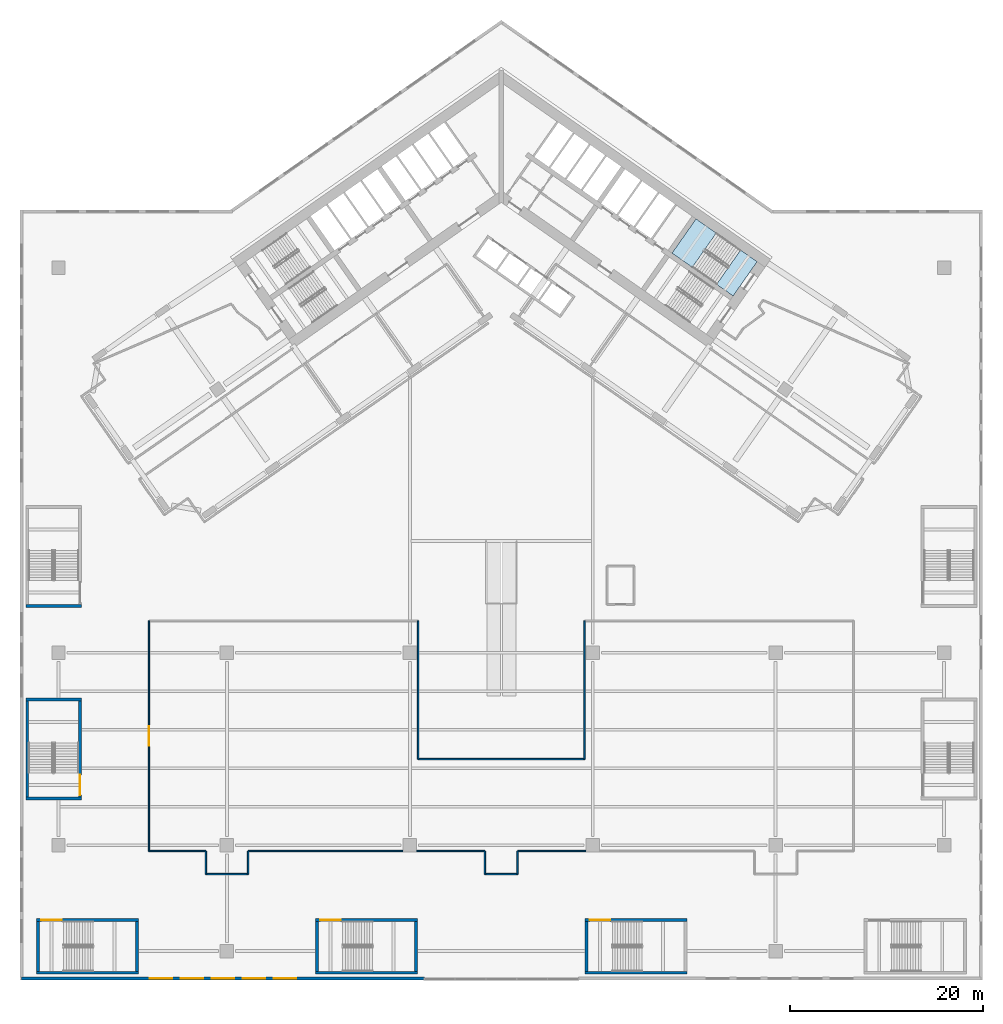
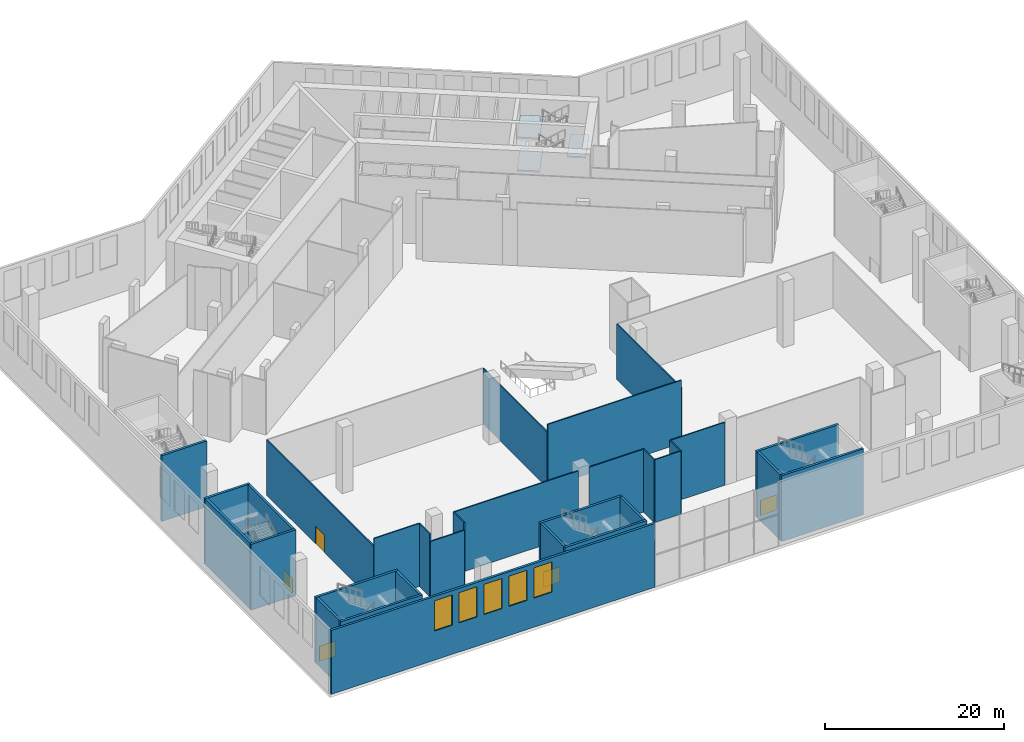
# One storey, part 5 of 27: 31 walls, 5 doors, 5 windows, 3 slabs, 10 openings, 1 element without a shape of its own.
"""IFC4 building model written with IfcOpenShell, lengths in metres."""

from ifc_helpers import new_model, si_unit, direction, frame, frame_2d, origin, place, context, subcontext, project, spatial, polyline, rectangle, outline, extrude, material, layer, layer_set, type_object, element, fill, aggregate, save


model = new_model("IFC4")

# Units and contexts
model_context = context("Model", 3, precision=1e-05, world=origin(), true_north=direction((0.0, 1.0)))
body_context = subcontext(model_context, "Body", "Model", "MODEL_VIEW")
ifc_project = project(units=[si_unit("LENGTHUNIT", "METRE"), si_unit("AREAUNIT", "SQUARE_METRE"), si_unit("VOLUMEUNIT", "CUBIC_METRE"), si_unit("PLANEANGLEUNIT", "RADIAN"), si_unit("MASSUNIT", "GRAM", prefix="KILO")], contexts=[model_context])

# Site, building, storey
site_placement = place(None, origin())
site = spatial("IfcSite", under=ifc_project, at=site_placement, CompositionType="ELEMENT")
building_placement = place(site_placement, origin())
building = spatial("IfcBuilding", under=site, at=building_placement, Name="Tel Ilan Convention Tower", CompositionType="ELEMENT")
storey_placement = place(building_placement, frame((0.0, 0.0, 9.0)))
storey = spatial("IfcBuildingStorey", under=building, at=storey_placement, Name="L01", CompositionType="ELEMENT", Elevation=9.0)

# Stair, slabs
ifc_material_1 = material(Name="Concrete C40/50", Category="concrete")
stair_type = type_object("IfcStairType", Name="Pressurised Exit Stair 48 risers 188 mm", PredefinedType="HALF_TURN_STAIR", material=ifc_material_1)
stair_placement = place(storey_placement, origin())
stair = element("IfcStair", 1, at=stair_placement, inside=storey, type_object=stair_type, Name="L01 Pressurised Stair S3", PredefinedType="HALF_TURN_STAIR")
ifc_material_2 = material(Name="Concrete C40/50", Category="concrete")
ifc_layer_1 = layer(ifc_material_2, 0.199951171875)
ifc_layer_set_1 = layer_set([ifc_layer_1], Name="Concrete Stair Landing 200 mm C40/50")
slab_type = type_object("IfcSlabType", Name="Concrete Stair Landing 200 mm", PredefinedType="LANDING", material=ifc_layer_set_1)
slab_1_placement = place(storey_placement, frame((0.0, 0.0, 2.050048828125)))
slab_1 = element("IfcSlab", 2, at=slab_1_placement, type_object=slab_type, Name="S3 landing 1", PredefinedType="LANDING", context=body_context, shape_type="SweptSolid", body=[
    extrude(outline(polyline([(22.332275390625, -4.406005859375), (20.226318359375, -2.931640625), (17.7314453125, -6.494873046875), (19.837158203125, -7.969482421875), (22.332275390625, -4.406005859375)])), origin(), (0.0, 0.0, 1.0), 0.199951171875),
])
slab_2_placement = place(storey_placement, frame((0.0, 0.0, 4.300048828125)))
slab_2 = element("IfcSlab", 3, at=slab_2_placement, type_object=slab_type, Name="S3 landing 2", PredefinedType="LANDING", context=body_context, shape_type="SweptSolid", body=[
    extrude(outline(polyline([(26.574951171875, -7.376708984375), (24.85400390625, -6.171875), (22.35888671875, -9.735107421875), (24.079833984375, -10.940185546875), (26.574951171875, -7.376708984375)])), origin(), (0.0, 0.0, 1.0), 0.199951171875),
])
slab_3_placement = place(storey_placement, frame((0.0, 0.0, 6.550048828125)))
slab_3 = element("IfcSlab", 4, at=slab_3_placement, type_object=slab_type, Name="S3 landing 3", PredefinedType="LANDING", context=body_context, shape_type="SweptSolid", body=[
    extrude(outline(polyline([(22.332275390625, -4.406005859375), (20.226318359375, -2.931640625), (17.7314453125, -6.494873046875), (19.837158203125, -7.969482421875), (22.332275390625, -4.406005859375)])), origin(), (0.0, 0.0, 1.0), 0.199951171875),
])
aggregate(stair, [slab_1, slab_2, slab_3])

# Walls
ifc_material_3 = material(Name="Plasterboard on Steel Studs", Category="steel")
ifc_layer_2 = layer(ifc_material_3, 0.14990234375)
ifc_layer_set_2 = layer_set([ifc_layer_2], Name="Fire-rated Partition 150 EI 60")
wall_type_1 = type_object("IfcWallType", Name="Fire-rated Partition 150 EI 60", PredefinedType="PARTITIONING", material=ifc_layer_set_2)
wall_1_placement = place(storey_placement, frame((-1.698974609375, -71.0009765625, 0.0), z_axis=(0.0, 0.0, 1.0), x_axis=(1.0, 0.0, 0.0)))
element("IfcWall", 5, at=wall_1_placement, inside=storey, type_object=wall_type_1, Name="Partition 041", PredefinedType="PARTITIONING", context=body_context, shape_type="SweptSolid", body=[
    extrude(rectangle(XDim=3.39794921875, YDim=0.14990234375, at=frame_2d((1.698974609375, 0.0))), origin(), (0.0, 0.0, 1.0), 8.60009765625),
])
wall_2_placement = place(storey_placement, frame((-30.698974609375, -71.0009765625, 0.0), z_axis=(0.0, 0.0, 1.0), x_axis=(1.0, 0.0, 0.0)))
element("IfcWall", 6, at=wall_2_placement, inside=storey, type_object=wall_type_1, Name="Partition 042", PredefinedType="PARTITIONING", context=body_context, shape_type="SweptSolid", body=[
    extrude(rectangle(XDim=4.39794921875, YDim=0.14990234375, at=frame_2d((2.198974609375, 0.0))), origin(), (0.0, 0.0, 1.0), 7.580078125),
])

# Wall, opening, door
wall_3_placement = place(storey_placement, frame((-36.60009765625, -44.6982421875, 0.0), z_axis=(0.0, 0.0, 1.0), x_axis=(0.0, -1.0, 0.0)))
wall_3 = element("IfcWall", 7, at=wall_3_placement, inside=storey, type_object=wall_type_1, Name="Partition 045", PredefinedType="PARTITIONING", context=body_context, shape_type="SweptSolid", body=[
    extrude(rectangle(XDim=23.90185546875, YDim=0.14990234375, at=frame_2d((11.950927734375, 0.0))), origin(), (0.0, 0.0, 1.0), 7.580078125),
])
opening_1_placement = place(wall_3_placement, frame((10.950927734375, 0.0, 0.0)))
opening_1 = element("IfcOpeningElement", 8, at=opening_1_placement, cuts=wall_3, Name="Opening L01-008", PredefinedType="OPENING", context=body_context, shape_type="SweptSolid", body=[
    extrude(rectangle(XDim=2.0, YDim=2.39990234375, at=frame_2d((1.0, 1.199951171875))), frame((0.0, 0.0849609375, 0.0), z_axis=(0.0, -1.0, 0.0), x_axis=(1.0, 0.0, 0.0)), (0.0, 0.0, 1.0), 0.169921875),
])
ifc_material_4 = material(Name="Timber Door Leaf in Steel Frame", Category="steel")
door_type_1 = type_object("IfcDoorType", Name="Assembly Hall Double Fire Door 2000x2400", OperationType="NOTDEFINED", PredefinedType="DOOR", material=ifc_material_4)
door_1_placement = place(opening_1_placement, origin())
door_1 = element("IfcDoor", 9, at=door_1_placement, inside=storey, type_object=door_type_1, Name="Door L01-008", OperationType="DOUBLE_DOOR_SINGLE_SWING", OverallHeight=2.39990234375, OverallWidth=2.0, PredefinedType="DOOR", context=body_context, shape_type="SweptSolid", body=[
    extrude(rectangle(XDim=2.0, YDim=2.39990234375, at=frame_2d((1.0, 1.199951171875))), frame((0.0, 0.02490234375, 0.0), z_axis=(0.0, -1.0, 0.0), x_axis=(1.0, 0.0, 0.0)), (0.0, 0.0, 1.0), 0.050048828125),
])
fill(opening_1, door_1)

# Walls
wall_4_placement = place(storey_placement, frame((-36.60009765625, -68.60009765625, 0.0), z_axis=(0.0, 0.0, 1.0), x_axis=(1.0, 0.0, 0.0)))
element("IfcWall", 10, at=wall_4_placement, inside=storey, type_object=wall_type_1, Name="Partition 046", PredefinedType="PARTITIONING", context=body_context, shape_type="SweptSolid", body=[
    extrude(rectangle(XDim=5.900146484375, YDim=0.14990234375, at=frame_2d((2.9501953125, 0.0))), origin(), (0.0, 0.0, 1.0), 8.60009765625),
])
for number, where, z_axis, x_axis, name in (
    (11, (-30.699951171875, -68.60009765625, 0.0), (0.0, 0.0, 1.0), (0.0, -1.0, 0.0), "Partition 047"),
    (12, (-26.300048828125, -71.001708984375, 0.0), (0.0, 0.0, 1.0), (0.0, 1.0, 0.0), "Partition 048"),
):
    element("IfcWall", number, at=place(storey_placement, frame(where, z_axis=z_axis, x_axis=x_axis)), inside=storey, type_object=wall_type_1, Name=name, PredefinedType="PARTITIONING", context=body_context, shape_type="SweptSolid", body=[
        extrude(rectangle(XDim=2.401611328125, YDim=0.14990234375, at=frame_2d((1.20068359375, 0.0))), origin(), (0.0, 0.0, 1.0), 8.60009765625),
    ])
wall_5_placement = place(storey_placement, frame((-26.300048828125, -68.60009765625, 0.0), z_axis=(0.0, 0.0, 1.0), x_axis=(1.0, 0.0, 0.0)))
element("IfcWall", 13, at=wall_5_placement, inside=storey, type_object=wall_type_1, Name="Partition 049", PredefinedType="PARTITIONING", context=body_context, shape_type="SweptSolid", body=[
    extrude(rectangle(XDim=16.080078125, YDim=0.14990234375, at=frame_2d((8.0400390625, 0.0))), origin(), (0.0, 0.0, 1.0), 8.60009765625),
])
wall_6_placement = place(storey_placement, frame((-8.780029296875, -68.60009765625, 0.0), z_axis=(0.0, 0.0, 1.0), x_axis=(1.0, 0.0, 0.0)))
element("IfcWall", 14, at=wall_6_placement, inside=storey, type_object=wall_type_1, Name="Partition 050", PredefinedType="PARTITIONING", context=body_context, shape_type="SweptSolid", body=[
    extrude(rectangle(XDim=7.080078125, YDim=0.14990234375, at=frame_2d((3.5400390625, 0.0))), origin(), (0.0, 0.0, 1.0), 8.60009765625),
])
for number, where, z_axis, x_axis, name in (
    (15, (-1.699951171875, -68.60009765625, 0.0), (0.0, 0.0, 1.0), (0.0, -1.0, 0.0), "Partition 051"),
    (16, (1.699951171875, -71.001708984375, 0.0), (0.0, 0.0, 1.0), (0.0, 1.0, 0.0), "Partition 052"),
):
    element("IfcWall", number, at=place(storey_placement, frame(where, z_axis=z_axis, x_axis=x_axis)), inside=storey, type_object=wall_type_1, Name=name, PredefinedType="PARTITIONING", context=body_context, shape_type="SweptSolid", body=[
        extrude(rectangle(XDim=2.401611328125, YDim=0.14990234375, at=frame_2d((1.20068359375, 0.0))), origin(), (0.0, 0.0, 1.0), 8.60009765625),
    ])
wall_7_placement = place(storey_placement, frame((1.699951171875, -68.60009765625, 0.0), z_axis=(0.0, 0.0, 1.0), x_axis=(1.0, 0.0, 0.0)))
element("IfcWall", 17, at=wall_7_placement, inside=storey, type_object=wall_type_1, Name="Partition 053", PredefinedType="PARTITIONING", context=body_context, shape_type="SweptSolid", body=[
    extrude(rectangle(XDim=7.080078125, YDim=0.14990234375, at=frame_2d((3.5400390625, 0.0))), origin(), (0.0, 0.0, 1.0), 8.60009765625),
])
wall_8_placement = place(storey_placement, frame((8.64990234375, -59.050048828125, 0.0), z_axis=(0.0, 0.0, 1.0), x_axis=(-1.0, 0.0, 0.0)))
element("IfcWall", 18, at=wall_8_placement, inside=storey, type_object=wall_type_1, Name="Partition 063", PredefinedType="PARTITIONING", context=body_context, shape_type="SweptSolid", body=[
    extrude(rectangle(XDim=17.2998046875, YDim=0.14990234375, at=frame_2d((8.64990234375, 0.0))), origin(), (0.0, 0.0, 1.0), 8.60009765625),
])
for number, where, z_axis, x_axis, name in (
    (19, (-8.64990234375, -59.050048828125, 0.0), (0.0, 0.0, 1.0), (0.0, 1.0, 0.0), "Partition 064"),
    (20, (8.64990234375, -44.6982421875, 0.0), (0.0, 0.0, 1.0), (0.0, -1.0, 0.0), "Partition 065"),
):
    element("IfcWall", number, at=place(storey_placement, frame(where, z_axis=z_axis, x_axis=x_axis)), inside=storey, type_object=wall_type_1, Name=name, PredefinedType="PARTITIONING", context=body_context, shape_type="SweptSolid", body=[
        extrude(rectangle(XDim=14.351806640625, YDim=0.14990234375, at=frame_2d((7.17578125, 0.0))), origin(), (0.0, 0.0, 1.0), 7.580078125),
    ])

# Wall, openings, windows
ifc_material_5 = material(Name="Bronze aluminium cladding panel on insulated steel frame", Category="steel")
ifc_layer_3 = layer(ifc_material_5, 0.300048828125)
ifc_layer_set_3 = layer_set([ifc_layer_3], Name="PODIUM CLADDING WALL 300")
wall_type_2 = type_object("IfcWallType", Name="PODIUM CLADDING WALL 300", PredefinedType="SOLIDWALL", material=ifc_layer_set_3)
wall_9_placement = place(storey_placement, frame((-49.85009765625, -81.85009765625, 0.0), z_axis=(0.0, 0.0, 1.0), x_axis=(1.0, 0.0, 0.0)))
wall_9 = element("IfcWall", 21, at=wall_9_placement, inside=storey, type_object=wall_type_2, Name="Podium cladding wall", PredefinedType="SOLIDWALL", context=body_context, shape_type="SweptSolid", body=[
    extrude(rectangle(XDim=41.85009765625, YDim=0.300048828125, at=frame_2d((20.925048828125, 0.0))), origin(), (0.0, 0.0, 1.0), 8.719970703125),
])
opening_2_placement = place(wall_9_placement, frame((13.326904296875, 0.0, 4.0)))
opening_2 = element("IfcOpeningElement", 22, at=opening_2_placement, cuts=wall_9, Name="Opening W-04.001", PredefinedType="OPENING", context=body_context, shape_type="SweptSolid", body=[
    extrude(rectangle(XDim=2.3193359375, YDim=4.1201171875, at=frame_2d((1.15966796875, 2.06005859375))), frame((0.0, 0.159912109375, 0.0), z_axis=(0.0, -1.0, 0.0), x_axis=(1.0, 0.0, 0.0)), (0.0, 0.0, 1.0), 0.320068359375),
])
opening_3_placement = place(wall_9_placement, frame((16.546142578125, 0.0, 4.0)))
opening_3 = element("IfcOpeningElement", 23, at=opening_3_placement, cuts=wall_9, Name="Opening W-04.002", PredefinedType="OPENING", context=body_context, shape_type="SweptSolid", body=[
    extrude(rectangle(XDim=2.3193359375, YDim=4.1201171875, at=frame_2d((1.15966796875, 2.06005859375))), frame((0.0, 0.159912109375, 0.0), z_axis=(0.0, -1.0, 0.0), x_axis=(1.0, 0.0, 0.0)), (0.0, 0.0, 1.0), 0.320068359375),
])
opening_4_placement = place(wall_9_placement, frame((19.765380859375, 0.0, 4.0)))
opening_4 = element("IfcOpeningElement", 24, at=opening_4_placement, cuts=wall_9, Name="Opening W-04.003", PredefinedType="OPENING", context=body_context, shape_type="SweptSolid", body=[
    extrude(rectangle(XDim=2.3193359375, YDim=4.1201171875, at=frame_2d((1.15966796875, 2.06005859375))), frame((0.0, 0.159912109375, 0.0), z_axis=(0.0, -1.0, 0.0), x_axis=(1.0, 0.0, 0.0)), (0.0, 0.0, 1.0), 0.320068359375),
])
opening_5_placement = place(wall_9_placement, frame((22.984619140625, 0.0, 4.0)))
opening_5 = element("IfcOpeningElement", 25, at=opening_5_placement, cuts=wall_9, Name="Opening W-04.004", PredefinedType="OPENING", context=body_context, shape_type="SweptSolid", body=[
    extrude(rectangle(XDim=2.3193359375, YDim=4.1201171875, at=frame_2d((1.15966796875, 2.06005859375))), frame((0.0, 0.159912109375, 0.0), z_axis=(0.0, -1.0, 0.0), x_axis=(1.0, 0.0, 0.0)), (0.0, 0.0, 1.0), 0.320068359375),
])
opening_6_placement = place(wall_9_placement, frame((26.203857421875, 0.0, 4.0)))
opening_6 = element("IfcOpeningElement", 26, at=opening_6_placement, cuts=wall_9, Name="Opening W-04.005", PredefinedType="OPENING", context=body_context, shape_type="SweptSolid", body=[
    extrude(rectangle(XDim=2.3193359375, YDim=4.1201171875, at=frame_2d((1.15966796875, 2.06005859375))), frame((0.0, 0.159912109375, 0.0), z_axis=(0.0, -1.0, 0.0), x_axis=(1.0, 0.0, 0.0)), (0.0, 0.0, 1.0), 0.320068359375),
])
ifc_material_6 = material(Name="Aluminium framed glazing, bronze anodised, tinted glass", Category="aluminium")
window_type = type_object("IfcWindowType", Name="PODIUM WINDOW 2319x4120", PartitioningType="SINGLE_PANEL", PredefinedType="WINDOW", material=ifc_material_6)
window_1_placement = place(opening_2_placement, origin())
window_1 = element("IfcWindow", 27, at=window_1_placement, inside=storey, type_object=window_type, Name="Podium window", OverallHeight=4.1201171875, OverallWidth=2.3193359375, PartitioningType="SINGLE_PANEL", PredefinedType="WINDOW", context=body_context, shape_type="SweptSolid", body=[
    extrude(rectangle(XDim=2.3193359375, YDim=4.1201171875, at=frame_2d((1.15966796875, 2.06005859375))), frame((0.0, 0.030029296875, 0.0), z_axis=(0.0, -1.0, 0.0), x_axis=(1.0, 0.0, 0.0)), (0.0, 0.0, 1.0), 0.06005859375),
])
fill(opening_2, window_1)
window_2_placement = place(opening_3_placement, origin())
window_2 = element("IfcWindow", 28, at=window_2_placement, inside=storey, type_object=window_type, Name="Podium window", OverallHeight=4.1201171875, OverallWidth=2.3193359375, PartitioningType="SINGLE_PANEL", PredefinedType="WINDOW", context=body_context, shape_type="SweptSolid", body=[
    extrude(rectangle(XDim=2.3193359375, YDim=4.1201171875, at=frame_2d((1.15966796875, 2.06005859375))), frame((0.0, 0.030029296875, 0.0), z_axis=(0.0, -1.0, 0.0), x_axis=(1.0, 0.0, 0.0)), (0.0, 0.0, 1.0), 0.06005859375),
])
fill(opening_3, window_2)
window_3_placement = place(opening_4_placement, origin())
window_3 = element("IfcWindow", 29, at=window_3_placement, inside=storey, type_object=window_type, Name="Podium window", OverallHeight=4.1201171875, OverallWidth=2.3193359375, PartitioningType="SINGLE_PANEL", PredefinedType="WINDOW", context=body_context, shape_type="SweptSolid", body=[
    extrude(rectangle(XDim=2.3193359375, YDim=4.1201171875, at=frame_2d((1.15966796875, 2.06005859375))), frame((0.0, 0.030029296875, 0.0), z_axis=(0.0, -1.0, 0.0), x_axis=(1.0, 0.0, 0.0)), (0.0, 0.0, 1.0), 0.06005859375),
])
fill(opening_4, window_3)
window_4_placement = place(opening_5_placement, origin())
window_4 = element("IfcWindow", 30, at=window_4_placement, inside=storey, type_object=window_type, Name="Podium window", OverallHeight=4.1201171875, OverallWidth=2.3193359375, PartitioningType="SINGLE_PANEL", PredefinedType="WINDOW", context=body_context, shape_type="SweptSolid", body=[
    extrude(rectangle(XDim=2.3193359375, YDim=4.1201171875, at=frame_2d((1.15966796875, 2.06005859375))), frame((0.0, 0.030029296875, 0.0), z_axis=(0.0, -1.0, 0.0), x_axis=(1.0, 0.0, 0.0)), (0.0, 0.0, 1.0), 0.06005859375),
])
fill(opening_5, window_4)
window_5_placement = place(opening_6_placement, origin())
window_5 = element("IfcWindow", 31, at=window_5_placement, inside=storey, type_object=window_type, Name="Podium window", OverallHeight=4.1201171875, OverallWidth=2.3193359375, PartitioningType="SINGLE_PANEL", PredefinedType="WINDOW", context=body_context, shape_type="SweptSolid", body=[
    extrude(rectangle(XDim=2.3193359375, YDim=4.1201171875, at=frame_2d((1.15966796875, 2.06005859375))), frame((0.0, 0.030029296875, 0.0), z_axis=(0.0, -1.0, 0.0), x_axis=(1.0, 0.0, 0.0)), (0.0, 0.0, 1.0), 0.06005859375),
])
fill(opening_6, window_5)

# Wall
ifc_material_7 = material(Name="Concrete C40/50", Category="concrete")
ifc_layer_4 = layer(ifc_material_7, 0.300048828125)
ifc_layer_set_4 = layer_set([ifc_layer_4], Name="Stair Enclosure Wall 300 mm C40/50")
wall_type_3 = type_object("IfcWallType", Name="Stair Enclosure Wall 300 mm C40/50", PredefinedType="SOLIDWALL", material=ifc_layer_set_4)
wall_10_placement = place(storey_placement, frame((-48.300048828125, -81.25, 0.0), z_axis=(0.0, 0.0, 1.0), x_axis=(1.0, 0.0, 0.0)))
element("IfcWall", 32, at=wall_10_placement, inside=storey, type_object=wall_type_3, Name="P1 stair enclosure wall S L01", PredefinedType="SOLIDWALL", context=body_context, shape_type="SweptSolid", body=[
    extrude(rectangle(XDim=10.60009765625, YDim=0.300048828125, at=frame_2d((5.300048828125, 0.0))), origin(), (0.0, 0.0, 1.0), 9.0),
])

# Wall, opening, door
wall_11_placement = place(storey_placement, frame((-48.300048828125, -75.75, 0.0), z_axis=(0.0, 0.0, 1.0), x_axis=(1.0, 0.0, 0.0)))
wall_11 = element("IfcWall", 33, at=wall_11_placement, inside=storey, type_object=wall_type_3, Name="P1 stair enclosure wall N L01", PredefinedType="SOLIDWALL", context=body_context, shape_type="SweptSolid", body=[
    extrude(rectangle(XDim=10.60009765625, YDim=0.300048828125, at=frame_2d((5.300048828125, 0.0))), origin(), (0.0, 0.0, 1.0), 9.0),
])
opening_7_placement = place(wall_11_placement, frame((0.512451171875, 0.0, 0.0)))
opening_7 = element("IfcOpeningElement", 34, at=opening_7_placement, cuts=wall_11, Name="Opening PD104", PredefinedType="OPENING", context=body_context, shape_type="SweptSolid", body=[
    extrude(rectangle(XDim=2.10009765625, YDim=2.10009765625, at=frame_2d((1.050048828125, 1.050048828125))), frame((0.0, 0.159912109375, 0.0), z_axis=(0.0, -1.0, 0.0), x_axis=(1.0, 0.0, 0.0)), (0.0, 0.0, 1.0), 0.320068359375),
])
ifc_material_8 = material(Name="Galvanised Steel Door Leaf", Category="steel")
door_type_2 = type_object("IfcDoorType", Name="Stair Fire Door 2100 x 2100 FD60S", OperationType="NOTDEFINED", PredefinedType="DOOR", material=ifc_material_8)
door_2_placement = place(opening_7_placement, origin())
door_2 = element("IfcDoor", 35, at=door_2_placement, inside=storey, type_object=door_type_2, Name="Stair P1 floor door", OperationType="DOUBLE_DOOR_SINGLE_SWING", OverallHeight=2.10009765625, OverallWidth=2.10009765625, PredefinedType="DOOR", context=body_context, shape_type="SweptSolid", body=[
    extrude(rectangle(XDim=2.10009765625, YDim=2.10009765625, at=frame_2d((1.050048828125, 1.050048828125))), frame((0.0, 0.02490234375, 0.0), z_axis=(0.0, -1.0, 0.0), x_axis=(1.0, 0.0, 0.0)), (0.0, 0.0, 1.0), 0.050048828125),
])
fill(opening_7, door_2)

# Walls
for number, where, z_axis, x_axis, name in (
    (36, (-48.14990234375, -81.10009765625, 0.0), (0.0, 0.0, 1.0), (0.0, 1.0, 0.0), "P1 stair enclosure wall W L01"),
    (37, (-37.85009765625, -81.10009765625, 0.0), (0.0, 0.0, 1.0), (0.0, 1.0, 0.0), "P1 stair enclosure wall E L01"),
):
    element("IfcWall", number, at=place(storey_placement, frame(where, z_axis=z_axis, x_axis=x_axis)), inside=storey, type_object=wall_type_3, Name=name, PredefinedType="SOLIDWALL", context=body_context, shape_type="SweptSolid", body=[
        extrude(rectangle(XDim=5.2001953125, YDim=0.300048828125, at=frame_2d((2.60009765625, 0.0))), origin(), (0.0, 0.0, 1.0), 9.0),
    ])
wall_12_placement = place(storey_placement, frame((-19.300048828125, -81.25, 0.0), z_axis=(0.0, 0.0, 1.0), x_axis=(1.0, 0.0, 0.0)))
element("IfcWall", 38, at=wall_12_placement, inside=storey, type_object=wall_type_3, Name="P2 stair enclosure wall S L01", PredefinedType="SOLIDWALL", context=body_context, shape_type="SweptSolid", body=[
    extrude(rectangle(XDim=10.60009765625, YDim=0.300048828125, at=frame_2d((5.300048828125, 0.0))), origin(), (0.0, 0.0, 1.0), 9.0),
])

# Wall, opening, door
wall_13_placement = place(storey_placement, frame((-19.300048828125, -75.75, 0.0), z_axis=(0.0, 0.0, 1.0), x_axis=(1.0, 0.0, 0.0)))
wall_13 = element("IfcWall", 39, at=wall_13_placement, inside=storey, type_object=wall_type_3, Name="P2 stair enclosure wall N L01", PredefinedType="SOLIDWALL", context=body_context, shape_type="SweptSolid", body=[
    extrude(rectangle(XDim=10.60009765625, YDim=0.300048828125, at=frame_2d((5.300048828125, 0.0))), origin(), (0.0, 0.0, 1.0), 9.0),
])
opening_8_placement = place(wall_13_placement, frame((0.512451171875, 0.0, 0.0)))
opening_8 = element("IfcOpeningElement", 40, at=opening_8_placement, cuts=wall_13, Name="Opening PD204", PredefinedType="OPENING", context=body_context, shape_type="SweptSolid", body=[
    extrude(rectangle(XDim=2.10009765625, YDim=2.10009765625, at=frame_2d((1.050048828125, 1.050048828125))), frame((0.0, 0.159912109375, 0.0), z_axis=(0.0, -1.0, 0.0), x_axis=(1.0, 0.0, 0.0)), (0.0, 0.0, 1.0), 0.320068359375),
])
door_3_placement = place(opening_8_placement, origin())
door_3 = element("IfcDoor", 41, at=door_3_placement, inside=storey, type_object=door_type_2, Name="Stair P2 floor door", OperationType="DOUBLE_DOOR_SINGLE_SWING", OverallHeight=2.10009765625, OverallWidth=2.10009765625, PredefinedType="DOOR", context=body_context, shape_type="SweptSolid", body=[
    extrude(rectangle(XDim=2.10009765625, YDim=2.10009765625, at=frame_2d((1.050048828125, 1.050048828125))), frame((0.0, 0.02490234375, 0.0), z_axis=(0.0, -1.0, 0.0), x_axis=(1.0, 0.0, 0.0)), (0.0, 0.0, 1.0), 0.050048828125),
])
fill(opening_8, door_3)

# Walls
for number, where, z_axis, x_axis, name in (
    (42, (-19.14990234375, -81.10009765625, 0.0), (0.0, 0.0, 1.0), (0.0, 1.0, 0.0), "P2 stair enclosure wall W L01"),
    (43, (-8.85009765625, -81.10009765625, 0.0), (0.0, 0.0, 1.0), (0.0, 1.0, 0.0), "P2 stair enclosure wall E L01"),
):
    element("IfcWall", number, at=place(storey_placement, frame(where, z_axis=z_axis, x_axis=x_axis)), inside=storey, type_object=wall_type_3, Name=name, PredefinedType="SOLIDWALL", context=body_context, shape_type="SweptSolid", body=[
        extrude(rectangle(XDim=5.2001953125, YDim=0.300048828125, at=frame_2d((2.60009765625, 0.0))), origin(), (0.0, 0.0, 1.0), 9.0),
    ])
wall_14_placement = place(storey_placement, frame((8.699951171875, -81.25, 0.0), z_axis=(0.0, 0.0, 1.0), x_axis=(1.0, 0.0, 0.0)))
element("IfcWall", 44, at=wall_14_placement, inside=storey, type_object=wall_type_3, Name="P3 stair enclosure wall S L01", PredefinedType="SOLIDWALL", context=body_context, shape_type="SweptSolid", body=[
    extrude(rectangle(XDim=10.60009765625, YDim=0.300048828125, at=frame_2d((5.300048828125, 0.0))), origin(), (0.0, 0.0, 1.0), 9.0),
])

# Wall, opening, door
wall_15_placement = place(storey_placement, frame((8.699951171875, -75.75, 0.0), z_axis=(0.0, 0.0, 1.0), x_axis=(1.0, 0.0, 0.0)))
wall_15 = element("IfcWall", 45, at=wall_15_placement, inside=storey, type_object=wall_type_3, Name="P3 stair enclosure wall N L01", PredefinedType="SOLIDWALL", context=body_context, shape_type="SweptSolid", body=[
    extrude(rectangle(XDim=10.60009765625, YDim=0.300048828125, at=frame_2d((5.300048828125, 0.0))), origin(), (0.0, 0.0, 1.0), 9.0),
])
opening_9_placement = place(wall_15_placement, frame((0.512451171875, 0.0, 0.0)))
opening_9 = element("IfcOpeningElement", 46, at=opening_9_placement, cuts=wall_15, Name="Opening PD304", PredefinedType="OPENING", context=body_context, shape_type="SweptSolid", body=[
    extrude(rectangle(XDim=2.10009765625, YDim=2.10009765625, at=frame_2d((1.050048828125, 1.050048828125))), frame((0.0, 0.159912109375, 0.0), z_axis=(0.0, -1.0, 0.0), x_axis=(1.0, 0.0, 0.0)), (0.0, 0.0, 1.0), 0.320068359375),
])
door_4_placement = place(opening_9_placement, origin())
door_4 = element("IfcDoor", 47, at=door_4_placement, inside=storey, type_object=door_type_2, Name="Stair P3 floor door", OperationType="DOUBLE_DOOR_SINGLE_SWING", OverallHeight=2.10009765625, OverallWidth=2.10009765625, PredefinedType="DOOR", context=body_context, shape_type="SweptSolid", body=[
    extrude(rectangle(XDim=2.10009765625, YDim=2.10009765625, at=frame_2d((1.050048828125, 1.050048828125))), frame((0.0, 0.02490234375, 0.0), z_axis=(0.0, -1.0, 0.0), x_axis=(1.0, 0.0, 0.0)), (0.0, 0.0, 1.0), 0.050048828125),
])
fill(opening_9, door_4)

# Walls
wall_16_placement = place(storey_placement, frame((8.85009765625, -81.10009765625, 0.0), z_axis=(0.0, 0.0, 1.0), x_axis=(0.0, 1.0, 0.0)))
element("IfcWall", 48, at=wall_16_placement, inside=storey, type_object=wall_type_3, Name="P3 stair enclosure wall W L01", PredefinedType="SOLIDWALL", context=body_context, shape_type="SweptSolid", body=[
    extrude(rectangle(XDim=5.2001953125, YDim=0.300048828125, at=frame_2d((2.60009765625, 0.0))), origin(), (0.0, 0.0, 1.0), 9.0),
])
for number, where, z_axis, x_axis, name in (
    (49, (-49.39990234375, -63.14990234375, 0.0), (0.0, 0.0, 1.0), (1.0, 0.0, 0.0), "P5 stair enclosure wall S L01"),
    (50, (-49.39990234375, -52.85009765625, 0.0), (0.0, 0.0, 1.0), (1.0, 0.0, 0.0), "P5 stair enclosure wall N L01"),
):
    element("IfcWall", number, at=place(storey_placement, frame(where, z_axis=z_axis, x_axis=x_axis)), inside=storey, type_object=wall_type_3, Name=name, PredefinedType="SOLIDWALL", context=body_context, shape_type="SweptSolid", body=[
        extrude(rectangle(XDim=5.7998046875, YDim=0.300048828125, at=frame_2d((2.89990234375, 0.0))), origin(), (0.0, 0.0, 1.0), 9.0),
    ])
wall_17_placement = place(storey_placement, frame((-49.25, -63.0, 0.0), z_axis=(0.0, 0.0, 1.0), x_axis=(0.0, 1.0, 0.0)))
element("IfcWall", 51, at=wall_17_placement, inside=storey, type_object=wall_type_3, Name="P5 stair enclosure wall W L01", PredefinedType="SOLIDWALL", context=body_context, shape_type="SweptSolid", body=[
    extrude(rectangle(XDim=10.0, YDim=0.300048828125, at=frame_2d((5.0, 0.0))), origin(), (0.0, 0.0, 1.0), 9.0),
])

# Wall, opening, door
wall_18_placement = place(storey_placement, frame((-43.75, -63.0, 0.0), z_axis=(0.0, 0.0, 1.0), x_axis=(0.0, 1.0, 0.0)))
wall_18 = element("IfcWall", 52, at=wall_18_placement, inside=storey, type_object=wall_type_3, Name="P5 stair enclosure wall E L01", PredefinedType="SOLIDWALL", context=body_context, shape_type="SweptSolid", body=[
    extrude(rectangle(XDim=10.0, YDim=0.300048828125, at=frame_2d((5.0, 0.0))), origin(), (0.0, 0.0, 1.0), 9.0),
])
opening_10_placement = place(wall_18_placement, frame((0.21240234375, 0.0, 0.0)))
opening_10 = element("IfcOpeningElement", 53, at=opening_10_placement, cuts=wall_18, Name="Opening PD504", PredefinedType="OPENING", context=body_context, shape_type="SweptSolid", body=[
    extrude(rectangle(XDim=2.10009765625, YDim=2.10009765625, at=frame_2d((1.050048828125, 1.050048828125))), frame((0.0, 0.159912109375, 0.0), z_axis=(0.0, -1.0, 0.0), x_axis=(1.0, 0.0, 0.0)), (0.0, 0.0, 1.0), 0.320068359375),
])
door_5_placement = place(opening_10_placement, origin())
door_5 = element("IfcDoor", 54, at=door_5_placement, inside=storey, type_object=door_type_2, Name="Stair P5 floor door", OperationType="DOUBLE_DOOR_SINGLE_SWING", OverallHeight=2.10009765625, OverallWidth=2.10009765625, PredefinedType="DOOR", context=body_context, shape_type="SweptSolid", body=[
    extrude(rectangle(XDim=2.10009765625, YDim=2.10009765625, at=frame_2d((1.050048828125, 1.050048828125))), frame((0.0, 0.02490234375, 0.0), z_axis=(0.0, -1.0, 0.0), x_axis=(1.0, 0.0, 0.0)), (0.0, 0.0, 1.0), 0.050048828125),
])
fill(opening_10, door_5)

# Wall
wall_19_placement = place(storey_placement, frame((-49.39990234375, -43.14990234375, 0.0), z_axis=(0.0, 0.0, 1.0), x_axis=(1.0, 0.0, 0.0)))
element("IfcWall", 55, at=wall_19_placement, inside=storey, type_object=wall_type_3, Name="P7 stair enclosure wall S L01", PredefinedType="SOLIDWALL", context=body_context, shape_type="SweptSolid", body=[
    extrude(rectangle(XDim=5.7998046875, YDim=0.300048828125, at=frame_2d((2.89990234375, 0.0))), origin(), (0.0, 0.0, 1.0), 9.0),
])

save(model, "model.ifc")
